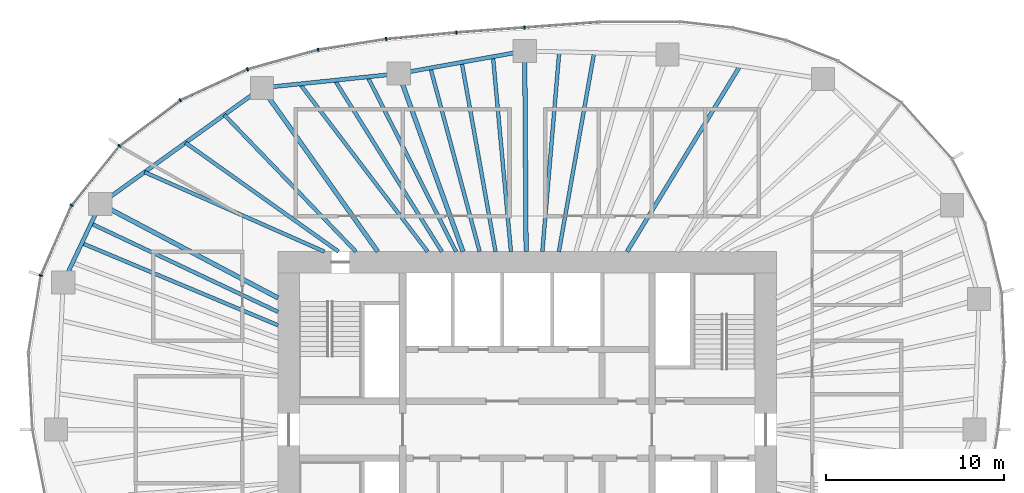
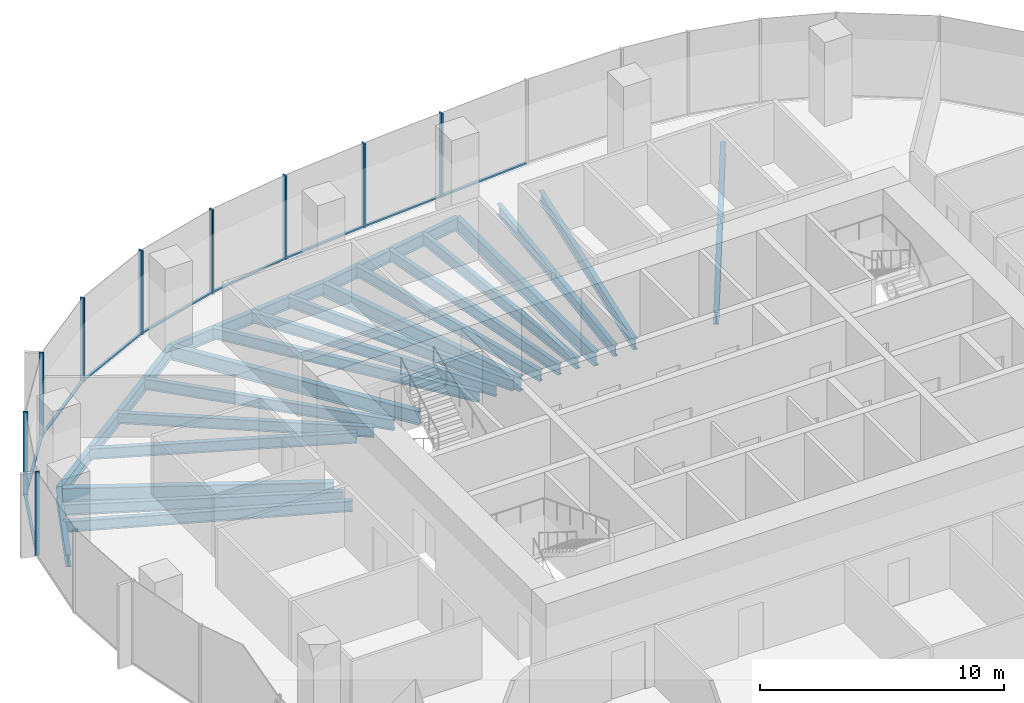
# One storey, part 5 of 11: 22 beams, 18 members, 6 elements without a shape of their own.
"""IFC4 building model written with IfcOpenShell, lengths in metres."""

from ifc_helpers import new_model, si_unit, direction, frame, origin, origin_2d, place, context, subcontext, project, spatial, rectangle, i_section, extrude, material, material_profile, profile_set, type_object, element, aggregate, save


model = new_model("IFC4")

# Units and contexts
model_context = context("Model", 3, precision=1e-05, world=origin(), true_north=direction((0.0, 1.0)))
body_context = subcontext(model_context, "Body", "Model", "MODEL_VIEW")
ifc_project = project(units=[si_unit("LENGTHUNIT", "METRE"), si_unit("AREAUNIT", "SQUARE_METRE"), si_unit("VOLUMEUNIT", "CUBIC_METRE"), si_unit("PLANEANGLEUNIT", "RADIAN"), si_unit("MASSUNIT", "GRAM", prefix="KILO")], contexts=[model_context])

# Site, building, storey
site_placement = place(None, origin())
site = spatial("IfcSite", under=ifc_project, at=site_placement, CompositionType="ELEMENT")
building_placement = place(site_placement, origin())
building = spatial("IfcBuilding", under=site, at=building_placement, Name="Ghaith Harvest Tower", CompositionType="ELEMENT")
storey_placement = place(building_placement, frame((0.0, 0.0, 220.0)))
storey = spatial("IfcBuildingStorey", under=building, at=storey_placement, Name="L48", CompositionType="ELEMENT", Elevation=220.0)

# Curtain wall, members
ifc_material_1 = material(Name="Black anodised aluminium and fritted glass", Category="aluminium")
curtain_wall_type = type_object("IfcCurtainWallType", Name="CW-H CURTAIN WALL", PredefinedType="NOTDEFINED", material=ifc_material_1)
curtain_wall_1_placement = place(storey_placement, origin())
curtain_wall_1 = element("IfcCurtainWall", 1, at=curtain_wall_1_placement, inside=storey, type_object=curtain_wall_type, Name="Curtain wall CW-H bay 06 L48", PredefinedType="NOTDEFINED")
ifc_material_2 = material(Name="Aluminium, black anodised", Category="aluminium")
ifc_material_profile_1 = material_profile(ifc_material_2, rectangle(XDim=0.080078125, YDim=0.199951171875, at=origin_2d()), Name="CW-H MULLION 80x200")
ifc_profile_set_1 = profile_set([ifc_material_profile_1], Name="Aluminium, black anodised")
member_type_1 = type_object("IfcMemberType", Name="CW-H MULLION 80x200", PredefinedType="MULLION", material=ifc_profile_set_1)
member_1_placement = place(storey_placement, frame((-0.154541015625, 22.590576171875, 0.0), z_axis=(0.0, 0.0, 1.0), x_axis=(-0.997329249665, -0.073036756239, 0.0)))
member_1 = element("IfcMember", 2, at=member_1_placement, type_object=member_type_1, Name="CW-H mullion 1 bay 06 L48", PredefinedType="MULLION", context=body_context, shape_type="SweptSolid", body=[
    extrude(rectangle(XDim=0.080078125, YDim=0.199951171875, at=origin_2d()), origin(), (0.0, 0.0, 1.0), 4.199951171875),
])
member_2_placement = place(storey_placement, frame((-3.984375, 22.310302734375, 0.0), z_axis=(0.0, 0.0, 1.0), x_axis=(-0.996522526822, -0.083323787336, 0.0)))
member_2 = element("IfcMember", 3, at=member_2_placement, type_object=member_type_1, Name="CW-H mullion 2 bay 06 L48", PredefinedType="MULLION", context=body_context, shape_type="SweptSolid", body=[
    extrude(rectangle(XDim=0.080078125, YDim=0.199951171875, at=origin_2d()), origin(), (0.0, 0.0, 1.0), 4.199951171875),
])

curtain_wall_2_placement = place(storey_placement, origin())
curtain_wall_2 = element("IfcCurtainWall", 4, at=curtain_wall_2_placement, inside=storey, type_object=curtain_wall_type, Name="Curtain wall CW-H bay 07 L48", PredefinedType="NOTDEFINED")
member_3_placement = place(storey_placement, frame((-7.924560546875, 21.94091796875, 0.0), z_axis=(0.0, 0.0, 1.0), x_axis=(-0.992235485325, -0.124373396119, 0.0)))
member_3 = element("IfcMember", 5, at=member_3_placement, type_object=member_type_1, Name="CW-H mullion 1 bay 07 L48", PredefinedType="MULLION", context=body_context, shape_type="SweptSolid", body=[
    extrude(rectangle(XDim=0.080078125, YDim=0.199951171875, at=origin_2d()), origin(), (0.0, 0.0, 1.0), 4.199951171875),
])
member_4_placement = place(storey_placement, frame((-11.75244140625, 21.336669921875, 0.0), z_axis=(0.0, 0.0, 1.0), x_axis=(-0.977086484172, -0.212842670646, 0.0)))
member_4 = element("IfcMember", 6, at=member_4_placement, type_object=member_type_1, Name="CW-H mullion 2 bay 07 L48", PredefinedType="MULLION", context=body_context, shape_type="SweptSolid", body=[
    extrude(rectangle(XDim=0.080078125, YDim=0.199951171875, at=origin_2d()), origin(), (0.0, 0.0, 1.0), 4.199951171875),
])

curtain_wall_3_placement = place(storey_placement, origin())
curtain_wall_3 = element("IfcCurtainWall", 7, at=curtain_wall_3_placement, inside=storey, type_object=curtain_wall_type, Name="Curtain wall CW-H bay 08 L48", PredefinedType="NOTDEFINED")
member_5_placement = place(storey_placement, frame((-15.720947265625, 20.242431640625, 0.0), z_axis=(0.0, 0.0, 1.0), x_axis=(-0.938930986476, -0.344105510906, 0.0)))
member_5 = element("IfcMember", 8, at=member_5_placement, type_object=member_type_1, Name="CW-H mullion 1 bay 08 L48", PredefinedType="MULLION", context=body_context, shape_type="SweptSolid", body=[
    extrude(rectangle(XDim=0.080078125, YDim=0.199951171875, at=origin_2d()), origin(), (0.0, 0.0, 1.0), 4.199951171875),
])
member_6_placement = place(storey_placement, frame((-19.4951171875, 18.4990234375, 0.0), z_axis=(0.0, 0.0, 1.0), x_axis=(-0.857998754004, -0.513651767376, 0.0)))
member_6 = element("IfcMember", 9, at=member_6_placement, type_object=member_type_1, Name="CW-H mullion 2 bay 08 L48", PredefinedType="MULLION", context=body_context, shape_type="SweptSolid", body=[
    extrude(rectangle(XDim=0.080078125, YDim=0.199951171875, at=origin_2d()), origin(), (0.0, 0.0, 1.0), 4.199951171875),
])

curtain_wall_4_placement = place(storey_placement, origin())
curtain_wall_4 = element("IfcCurtainWall", 10, at=curtain_wall_4_placement, inside=storey, type_object=curtain_wall_type, Name="Curtain wall CW-H bay 09 L48", PredefinedType="NOTDEFINED")
member_7_placement = place(storey_placement, frame((-22.908203125, 15.939697265625, 0.0), z_axis=(0.0, 0.0, 1.0), x_axis=(-0.719146135082, -0.694858860774, 0.0)))
member_7 = element("IfcMember", 11, at=member_7_placement, type_object=member_type_1, Name="CW-H mullion 1 bay 09 L48", PredefinedType="MULLION", context=body_context, shape_type="SweptSolid", body=[
    extrude(rectangle(XDim=0.080078125, YDim=0.199951171875, at=origin_2d()), origin(), (0.0, 0.0, 1.0), 4.199951171875),
])
member_8_placement = place(storey_placement, frame((-25.599609375, 12.6005859375, 0.0), z_axis=(0.0, 0.0, 1.0), x_axis=(-0.518769201232, -0.854914332464, 0.0)))
member_8 = element("IfcMember", 12, at=member_8_placement, type_object=member_type_1, Name="CW-H mullion 2 bay 09 L48", PredefinedType="MULLION", context=body_context, shape_type="SweptSolid", body=[
    extrude(rectangle(XDim=0.080078125, YDim=0.199951171875, at=origin_2d()), origin(), (0.0, 0.0, 1.0), 4.199951171875),
])

# Curtain wall, member
curtain_wall_5_placement = place(storey_placement, origin())
curtain_wall_5 = element("IfcCurtainWall", 13, at=curtain_wall_5_placement, inside=storey, type_object=curtain_wall_type, Name="Curtain wall CW-H bay 10 L48", PredefinedType="NOTDEFINED")
member_9_placement = place(storey_placement, frame((-27.32568359375, 8.659912109375, 0.0), z_axis=(0.0, 0.0, 1.0), x_axis=(-0.280520268431, -0.959848102045, 0.0)))
member_9 = element("IfcMember", 14, at=member_9_placement, type_object=member_type_1, Name="CW-H mullion 1 bay 10 L48", PredefinedType="MULLION", context=body_context, shape_type="SweptSolid", body=[
    extrude(rectangle(XDim=0.080078125, YDim=0.199951171875, at=origin_2d()), origin(), (0.0, 0.0, 1.0), 4.199951171875),
])
aggregate(curtain_wall_5, [member_9])

curtain_wall_6_placement = place(storey_placement, origin())
curtain_wall_6 = element("IfcCurtainWall", 15, at=curtain_wall_6_placement, inside=storey, type_object=curtain_wall_type, Name="Curtain wall CW-H bay 05 L48", PredefinedType="NOTDEFINED")
ifc_material_3 = material(Name="Aluminium, black anodised", Category="aluminium")
ifc_material_profile_2 = material_profile(ifc_material_3, rectangle(XDim=0.1298828125, YDim=0.080078125, at=origin_2d()), Name="CW-H TRANSOM 130x80")
ifc_profile_set_2 = profile_set([ifc_material_profile_2], Name="Aluminium, black anodised")
member_type_2 = type_object("IfcMemberType", Name="CW-H TRANSOM 130x80", PredefinedType="USERDEFINED", material=ifc_profile_set_2)
member_10_placement = place(storey_placement, frame((4.01953125, 22.896484375, 0.0400390625), z_axis=(-0.997325457985, -0.07308851384, 0.0), x_axis=(0.07308851384, -0.997325457985, 0.0)))
member_10 = element("IfcMember", 16, at=member_10_placement, type_object=member_type_2, Name="CW-H transom 2 bay 05 L48", ObjectType="TRANSOM", PredefinedType="USERDEFINED", context=body_context, shape_type="SweptSolid", body=[
    extrude(rectangle(XDim=0.1298828125, YDim=0.080078125, at=origin_2d()), origin(), (0.0, 0.0, 1.0), 4.145263671875),
])
aggregate(curtain_wall_6, [member_10])

# Member
member_11_placement = place(storey_placement, frame((-0.194580078125, 22.587646484375, 0.0400390625), z_axis=(-0.997332916649, -0.072986665689, 0.0), x_axis=(0.072986665689, -0.997332916649, 0.0)))
member_11 = element("IfcMember", 17, at=member_11_placement, type_object=member_type_2, Name="CW-H transom 1 bay 06 L48", ObjectType="TRANSOM", PredefinedType="USERDEFINED", context=body_context, shape_type="SweptSolid", body=[
    extrude(rectangle(XDim=0.1298828125, YDim=0.080078125, at=origin_2d()), origin(), (0.0, 0.0, 1.0), 3.759765625),
])

member_12_placement = place(storey_placement, frame((-4.024169921875, 22.306640625, 0.0400390625), z_axis=(-0.995631116984, -0.093373866217, 0.0), x_axis=(0.093373866217, -0.995631116984, 0.0)))
member_12 = element("IfcMember", 18, at=member_12_placement, type_object=member_type_2, Name="CW-H transom 2 bay 06 L48", ObjectType="TRANSOM", PredefinedType="USERDEFINED", context=body_context, shape_type="SweptSolid", body=[
    extrude(rectangle(XDim=0.1298828125, YDim=0.080078125, at=origin_2d()), origin(), (0.0, 0.0, 1.0), 3.87744140625),
])

aggregate(curtain_wall_1, [member_1, member_11, member_2, member_12])

member_13_placement = place(storey_placement, frame((-7.964111328125, 21.9345703125, 0.0400390625), z_axis=(-0.98776765914, -0.155932843097, 0.0), x_axis=(0.155932843097, -0.98776765914, 0.0)))
member_13 = element("IfcMember", 19, at=member_13_placement, type_object=member_type_2, Name="CW-H transom 1 bay 07 L48", ObjectType="TRANSOM", PredefinedType="USERDEFINED", context=body_context, shape_type="SweptSolid", body=[
    extrude(rectangle(XDim=0.1298828125, YDim=0.080078125, at=origin_2d()), origin(), (0.0, 0.0, 1.0), 3.795166015625),
])

member_14_placement = place(storey_placement, frame((-11.791015625, 21.325927734375, 0.0400390625), z_axis=(-0.964038584245, -0.265762315024, 0.0), x_axis=(0.265762315024, -0.964038584245, 0.0)))
member_14 = element("IfcMember", 20, at=member_14_placement, type_object=member_type_2, Name="CW-H transom 2 bay 07 L48", ObjectType="TRANSOM", PredefinedType="USERDEFINED", context=body_context, shape_type="SweptSolid", body=[
    extrude(rectangle(XDim=0.1298828125, YDim=0.080078125, at=origin_2d()), origin(), (0.0, 0.0, 1.0), 4.03662109375),
])

aggregate(curtain_wall_2, [member_3, member_13, member_4, member_14])

member_15_placement = place(storey_placement, frame((-15.75732421875, 20.2255859375, 0.0400390625), z_axis=(-0.907831404762, -0.419335355686, 0.0), x_axis=(0.419335355686, -0.907831404762, 0.0)))
member_15 = element("IfcMember", 21, at=member_15_placement, type_object=member_type_2, Name="CW-H transom 1 bay 08 L48", ObjectType="TRANSOM", PredefinedType="USERDEFINED", context=body_context, shape_type="SweptSolid", body=[
    extrude(rectangle(XDim=0.1298828125, YDim=0.080078125, at=origin_2d()), origin(), (0.0, 0.0, 1.0), 4.0771484375),
])

member_16_placement = place(storey_placement, frame((-19.527099609375, 18.47509765625, 0.0400390625), z_axis=(-0.800041988873, -0.599944010755, 0.0), x_axis=(0.599944010755, -0.800041988873, 0.0)))
member_16 = element("IfcMember", 22, at=member_16_placement, type_object=member_type_2, Name="CW-H transom 2 bay 08 L48", ObjectType="TRANSOM", PredefinedType="USERDEFINED", context=body_context, shape_type="SweptSolid", body=[
    extrude(rectangle(XDim=0.1298828125, YDim=0.080078125, at=origin_2d()), origin(), (0.0, 0.0, 1.0), 4.186279296875),
])

aggregate(curtain_wall_3, [member_5, member_15, member_6, member_16])

member_17_placement = place(storey_placement, frame((-22.933349609375, 15.90869140625, 0.0400390625), z_axis=(-0.6275347306, -0.778588570357, 0.0), x_axis=(0.778588570357, -0.6275347306, 0.0)))
member_17 = element("IfcMember", 23, at=member_17_placement, type_object=member_type_2, Name="CW-H transom 1 bay 09 L48", ObjectType="TRANSOM", PredefinedType="USERDEFINED", context=body_context, shape_type="SweptSolid", body=[
    extrude(rectangle(XDim=0.1298828125, YDim=0.080078125, at=origin_2d()), origin(), (0.0, 0.0, 1.0), 4.208740234375),
])

member_18_placement = place(storey_placement, frame((-25.61572265625, 12.56396484375, 0.0400390625), z_axis=(-0.401185844746, -0.915996680112, 0.0), x_axis=(0.915996680112, -0.401185844746, 0.0)))
member_18 = element("IfcMember", 24, at=member_18_placement, type_object=member_type_2, Name="CW-H transom 2 bay 09 L48", ObjectType="TRANSOM", PredefinedType="USERDEFINED", context=body_context, shape_type="SweptSolid", body=[
    extrude(rectangle(XDim=0.1298828125, YDim=0.080078125, at=origin_2d()), origin(), (0.0, 0.0, 1.0), 4.22216796875),
])

aggregate(curtain_wall_4, [member_7, member_17, member_8, member_18])

# Beams
ifc_material_4 = material(Name="Steel ASTM A992 Grade 50", Category="steel")
ifc_material_profile_3 = material_profile(ifc_material_4, i_section(OverallWidth=0.22900390625, OverallDepth=0.612060546875, WebThickness=0.011962890625, FlangeThickness=0.01953125, at=origin_2d()), Name="W610X125")
ifc_profile_set_3 = profile_set([ifc_material_profile_3], Name="Steel ASTM A992 Grade 50")
beam_type_1 = type_object("IfcBeamType", Name="E610-125 W610X125", PredefinedType="SPANDREL", material=ifc_profile_set_3)
beam_1_placement = place(storey_placement, frame((-0.14599609375, 21.27099609375, -0.47607421875), z_axis=(-0.984177047684, -0.177187863051, 0.0), x_axis=(0.177187863051, -0.984177047684, 0.0)))
element("IfcBeam", 25, at=beam_1_placement, inside=storey, type_object=beam_type_1, Name="Edge beam E06 L48", PredefinedType="SPANDREL", context=body_context, shape_type="SweptSolid", body=[
    extrude(i_section(OverallWidth=0.22900390625, OverallDepth=0.612060546875, WebThickness=0.011962890625, FlangeThickness=0.01953125, at=origin_2d()), origin(), (0.0, 0.0, 1.0), 7.189697265625),
])
beam_2_placement = place(storey_placement, frame((-7.221923828125, 19.9970703125, -0.47607421875), z_axis=(-0.994669141618, -0.103117887451, 0.0), x_axis=(0.103117887451, -0.994669141618, 0.0)))
element("IfcBeam", 26, at=beam_2_placement, inside=storey, type_object=beam_type_1, Name="Edge beam E07 L48", PredefinedType="SPANDREL", context=body_context, shape_type="SweptSolid", body=[
    extrude(i_section(OverallWidth=0.22900390625, OverallDepth=0.612060546875, WebThickness=0.011962890625, FlangeThickness=0.01953125, at=origin_2d()), origin(), (0.0, 0.0, 1.0), 7.730224609375),
])
beam_3_placement = place(storey_placement, frame((-14.910888671875, 19.199951171875, -0.47607421875), z_axis=(-0.812050311838, -0.583587432219, 0.0), x_axis=(0.583587432219, -0.812050311838, 0.0)))
element("IfcBeam", 27, at=beam_3_placement, inside=storey, type_object=beam_type_1, Name="Edge beam E08 L48", PredefinedType="SPANDREL", context=body_context, shape_type="SweptSolid", body=[
    extrude(i_section(OverallWidth=0.22900390625, OverallDepth=0.612060546875, WebThickness=0.011962890625, FlangeThickness=0.01953125, at=origin_2d()), origin(), (0.0, 0.0, 1.0), 11.175537109375),
])
beam_4_placement = place(storey_placement, frame((-23.986083984375, 12.677978515625, -0.47607421875), z_axis=(-0.426170247297, -0.904642979478, 0.0), x_axis=(0.904642979478, -0.426170247297, 0.0)))
element("IfcBeam", 28, at=beam_4_placement, inside=storey, type_object=beam_type_1, Name="Edge beam E09 L48", PredefinedType="SPANDREL", context=body_context, shape_type="SweptSolid", body=[
    extrude(i_section(OverallWidth=0.22900390625, OverallDepth=0.612060546875, WebThickness=0.011962890625, FlangeThickness=0.01953125, at=origin_2d()), origin(), (0.0, 0.0, 1.0), 4.882568359375),
])
ifc_material_5 = material(Name="Steel ASTM A992 Grade 50", Category="steel")
ifc_material_profile_4 = material_profile(ifc_material_5, i_section(OverallWidth=0.256103515625, OverallDepth=0.693115234375, WebThickness=0.014404296875, FlangeThickness=0.023681640625, at=origin_2d()), Name="W690X170")
ifc_profile_set_4 = profile_set([ifc_material_profile_4], Name="Steel ASTM A992 Grade 50")
beam_type_2 = type_object("IfcBeamType", Name="G690-170 W690X170", PredefinedType="BEAM", material=ifc_profile_set_4)
beam_5_placement = place(storey_placement, frame((-0.068359375, 10.0, -0.5166015625), z_axis=(-0.006888022705, 0.99997627729, 0.0), x_axis=(-0.99997627729, -0.006888022705, 0.0)))
element("IfcBeam", 29, at=beam_5_placement, inside=storey, type_object=beam_type_2, Name="Radial girder G06 L48", PredefinedType="BEAM", context=body_context, shape_type="SweptSolid", body=[
    extrude(i_section(OverallWidth=0.256103515625, OverallDepth=0.693115234375, WebThickness=0.014404296875, FlangeThickness=0.023681640625, at=origin_2d()), origin(), (0.0, 0.0, 1.0), 11.271240234375),
])
beam_6_placement = place(storey_placement, frame((-3.61181640625, 10.0, -0.5166015625), z_axis=(-0.339648979266, 0.940552269086, 0.0), x_axis=(-0.940552269086, -0.339648979266, 0.0)))
element("IfcBeam", 30, at=beam_6_placement, inside=storey, type_object=beam_type_2, Name="Radial girder G07 L48", PredefinedType="BEAM", context=body_context, shape_type="SweptSolid", body=[
    extrude(i_section(OverallWidth=0.256103515625, OverallDepth=0.693115234375, WebThickness=0.014404296875, FlangeThickness=0.023681640625, at=origin_2d()), origin(), (0.0, 0.0, 1.0), 10.62890625),
])
beam_7_placement = place(storey_placement, frame((-8.39990234375, 10.0, -0.5166015625), z_axis=(-0.577683734365, 0.816260683268, 0.0), x_axis=(-0.816260683268, -0.577683734365, 0.0)))
element("IfcBeam", 31, at=beam_7_placement, inside=storey, type_object=beam_type_2, Name="Radial girder G08 L48", PredefinedType="BEAM", context=body_context, shape_type="SweptSolid", body=[
    extrude(i_section(OverallWidth=0.256103515625, OverallDepth=0.693115234375, WebThickness=0.014404296875, FlangeThickness=0.023681640625, at=origin_2d()), origin(), (0.0, 0.0, 1.0), 11.270751953125),
])
beam_8_placement = place(storey_placement, frame((-14.0, 7.39990234375, -0.5166015625), z_axis=(-0.884105273337, 0.467287776062, 0.0), x_axis=(-0.467287776062, -0.884105273337, 0.0)))
element("IfcBeam", 32, at=beam_8_placement, inside=storey, type_object=beam_type_2, Name="Radial girder G09 L48", PredefinedType="BEAM", context=body_context, shape_type="SweptSolid", body=[
    extrude(i_section(OverallWidth=0.256103515625, OverallDepth=0.693115234375, WebThickness=0.014404296875, FlangeThickness=0.023681640625, at=origin_2d()), origin(), (0.0, 0.0, 1.0), 11.295166015625),
])
ifc_material_6 = material(Name="Steel ASTM A992 Grade 50", Category="steel")
ifc_material_profile_5 = material_profile(ifc_material_6, i_section(OverallWidth=0.2109375, OverallDepth=0.5390625, WebThickness=0.01171875, FlangeThickness=0.018798828125, at=origin_2d()), Name="W530X109")
ifc_profile_set_5 = profile_set([ifc_material_profile_5], Name="Steel ASTM A992 Grade 50")
beam_type_3 = type_object("IfcBeamType", Name="J530-109 W530X109", PredefinedType="JOIST", material=ifc_profile_set_5)
beam_9_placement = place(storey_placement, frame((1.772705078125, 10.0, -0.439453125), z_axis=(0.17455599258, 0.984647249249, 0.0), x_axis=(-0.984647249249, 0.17455599258, 0.0)))
element("IfcBeam", 33, at=beam_9_placement, inside=storey, type_object=beam_type_3, Name="Joist J05.2 L48", PredefinedType="JOIST", context=body_context, shape_type="SweptSolid", body=[
    extrude(i_section(OverallWidth=0.2109375, OverallDepth=0.5390625, WebThickness=0.01171875, FlangeThickness=0.018798828125, at=origin_2d()), origin(), (0.0, 0.0, 1.0), 11.3486328125),
])
beam_10_placement = place(storey_placement, frame((0.844970703125, 10.0, -0.439453125), z_axis=(0.084213263804, 0.996447753873, 0.0), x_axis=(-0.996447753873, 0.084213263804, 0.0)))
element("IfcBeam", 34, at=beam_10_placement, inside=storey, type_object=beam_type_3, Name="Joist J05.3 L48", PredefinedType="JOIST", context=body_context, shape_type="SweptSolid", body=[
    extrude(i_section(OverallWidth=0.2109375, OverallDepth=0.5390625, WebThickness=0.01171875, FlangeThickness=0.018798828125, at=origin_2d()), origin(), (0.0, 0.0, 1.0), 11.262939453125),
])
beam_11_placement = place(storey_placement, frame((-0.92041015625, 10.0, -0.439453125), z_axis=(-0.091648687045, 0.995791402937, 0.0), x_axis=(-0.995791402937, -0.091648687045, 0.0)))
element("IfcBeam", 35, at=beam_11_placement, inside=storey, type_object=beam_type_3, Name="Joist J06.1 L48", PredefinedType="JOIST", context=body_context, shape_type="SweptSolid", body=[
    extrude(i_section(OverallWidth=0.2109375, OverallDepth=0.5390625, WebThickness=0.01171875, FlangeThickness=0.018798828125, at=origin_2d()), origin(), (0.0, 0.0, 1.0), 10.99658203125),
])
beam_12_placement = place(storey_placement, frame((-1.785888671875, 10.0, -0.439453125), z_axis=(-0.175793767479, 0.984427016754, 0.0), x_axis=(-0.984427016754, -0.175793767479, 0.0)))
element("IfcBeam", 36, at=beam_12_placement, inside=storey, type_object=beam_type_3, Name="Joist J06.2 L48", PredefinedType="JOIST", context=body_context, shape_type="SweptSolid", body=[
    extrude(i_section(OverallWidth=0.2109375, OverallDepth=0.5390625, WebThickness=0.01171875, FlangeThickness=0.018798828125, at=origin_2d()), origin(), (0.0, 0.0, 1.0), 10.802001953125),
])
beam_13_placement = place(storey_placement, frame((-2.677978515625, 10.0, -0.439453125), z_axis=(-0.258674007994, 0.965964677195, 0.0), x_axis=(-0.965964677195, -0.258674007994, 0.0)))
element("IfcBeam", 37, at=beam_13_placement, inside=storey, type_object=beam_type_3, Name="Joist J06.3 L48", PredefinedType="JOIST", context=body_context, shape_type="SweptSolid", body=[
    extrude(i_section(OverallWidth=0.2109375, OverallDepth=0.5390625, WebThickness=0.01171875, FlangeThickness=0.018798828125, at=origin_2d()), origin(), (0.0, 0.0, 1.0), 10.68115234375),
])
beam_14_placement = place(storey_placement, frame((-4.0, 10.0, -0.439453125), z_axis=(-0.451646219201, 0.892197115374, 0.0), x_axis=(-0.892197115374, -0.451646219201, 0.0)))
element("IfcBeam", 38, at=beam_14_placement, inside=storey, type_object=beam_type_3, Name="Joist J07.1 L48", PredefinedType="JOIST", context=body_context, shape_type="SweptSolid", body=[
    extrude(i_section(OverallWidth=0.2109375, OverallDepth=0.5390625, WebThickness=0.01171875, FlangeThickness=0.018798828125, at=origin_2d()), origin(), (0.0, 0.0, 1.0), 11.001953125),
])
beam_15_placement = place(storey_placement, frame((-4.800048828125, 10.0, -0.439453125), z_axis=(-0.529627564093, 0.848230300893, 0.0), x_axis=(-0.848230300893, -0.529627564093, 0.0)))
element("IfcBeam", 39, at=beam_15_placement, inside=storey, type_object=beam_type_3, Name="Joist J07.2 L48", PredefinedType="JOIST", context=body_context, shape_type="SweptSolid", body=[
    extrude(i_section(OverallWidth=0.2109375, OverallDepth=0.5390625, WebThickness=0.01171875, FlangeThickness=0.018798828125, at=origin_2d()), origin(), (0.0, 0.0, 1.0), 11.34716796875),
])
beam_16_placement = place(storey_placement, frame((-5.60009765625, 10.0, -0.439453125), z_axis=(-0.605976135502, 0.795482823952, 0.0), x_axis=(-0.795482823952, -0.605976135502, 0.0)))
element("IfcBeam", 40, at=beam_16_placement, inside=storey, type_object=beam_type_3, Name="Joist J07.3 L48", PredefinedType="JOIST", context=body_context, shape_type="SweptSolid", body=[
    extrude(i_section(OverallWidth=0.2109375, OverallDepth=0.5390625, WebThickness=0.01171875, FlangeThickness=0.018798828125, at=origin_2d()), origin(), (0.0, 0.0, 1.0), 11.84326171875),
])
beam_17_placement = place(storey_placement, frame((-9.626708984375, 10.0, -0.439453125), z_axis=(-0.69354049188, 0.720417647009, 0.0), x_axis=(-0.720417647009, -0.69354049188, 0.0)))
element("IfcBeam", 41, at=beam_17_placement, inside=storey, type_object=beam_type_3, Name="Joist J08.1 L48", PredefinedType="JOIST", context=body_context, shape_type="SweptSolid", body=[
    extrude(i_section(OverallWidth=0.2109375, OverallDepth=0.5390625, WebThickness=0.01171875, FlangeThickness=0.018798828125, at=origin_2d()), origin(), (0.0, 0.0, 1.0), 10.6640625),
])
beam_18_placement = place(storey_placement, frame((-10.60009765625, 10.0, -0.439453125), z_axis=(-0.814837070547, 0.579690045164, 0.0), x_axis=(-0.579690045164, -0.814837070547, 0.0)))
element("IfcBeam", 42, at=beam_18_placement, inside=storey, type_object=beam_type_3, Name="Joist J08.2 L48", PredefinedType="JOIST", context=body_context, shape_type="SweptSolid", body=[
    extrude(i_section(OverallWidth=0.2109375, OverallDepth=0.5390625, WebThickness=0.01171875, FlangeThickness=0.018798828125, at=origin_2d()), origin(), (0.0, 0.0, 1.0), 10.5537109375),
])
beam_19_placement = place(storey_placement, frame((-11.39990234375, 10.0, -0.439453125), z_axis=(-0.914561290029, 0.40444733499, 0.0), x_axis=(-0.40444733499, -0.914561290029, 0.0)))
element("IfcBeam", 43, at=beam_19_placement, inside=storey, type_object=beam_type_3, Name="Joist J08.3 L48", PredefinedType="JOIST", context=body_context, shape_type="SweptSolid", body=[
    extrude(i_section(OverallWidth=0.2109375, OverallDepth=0.5390625, WebThickness=0.01171875, FlangeThickness=0.018798828125, at=origin_2d()), origin(), (0.0, 0.0, 1.0), 11.041748046875),
])
beam_20_placement = place(storey_placement, frame((-14.0, 6.614990234375, -0.439453125), z_axis=(-0.904154184779, 0.427206285238, 0.0), x_axis=(-0.427206285238, -0.904154184779, 0.0)))
element("IfcBeam", 44, at=beam_20_placement, inside=storey, type_object=beam_type_3, Name="Joist J09.1 L48", PredefinedType="JOIST", context=body_context, shape_type="SweptSolid", body=[
    extrude(i_section(OverallWidth=0.2109375, OverallDepth=0.5390625, WebThickness=0.01171875, FlangeThickness=0.018798828125, at=origin_2d()), origin(), (0.0, 0.0, 1.0), 11.61767578125),
])
beam_21_placement = place(storey_placement, frame((-14.0, 5.862548828125, -0.439453125), z_axis=(-0.922380898158, 0.386281605455, 0.0), x_axis=(-0.386281605455, -0.922380898158, 0.0)))
element("IfcBeam", 45, at=beam_21_placement, inside=storey, type_object=beam_type_3, Name="Joist J09.2 L48", PredefinedType="JOIST", context=body_context, shape_type="SweptSolid", body=[
    extrude(i_section(OverallWidth=0.2109375, OverallDepth=0.5390625, WebThickness=0.01171875, FlangeThickness=0.018798828125, at=origin_2d()), origin(), (0.0, 0.0, 1.0), 11.94970703125),
])
ifc_material_7 = material(Name="Steel ASTM A992 Grade 50", Category="steel")
ifc_material_profile_6 = material_profile(ifc_material_7, i_section(OverallWidth=0.22900390625, OverallDepth=0.612060546875, WebThickness=0.011962890625, FlangeThickness=0.01953125, at=origin_2d()), Name="W610X125")
ifc_profile_set_6 = profile_set([ifc_material_profile_6], Name="Steel ASTM A992 Grade 50")
beam_type_4 = type_object("IfcBeamType", Name="J610-125 W610X125", PredefinedType="JOIST", material=ifc_profile_set_6)
beam_22_placement = place(storey_placement, frame((5.60009765625, 10.0, -0.47607421875), z_axis=(0.519863845761, 0.854249133374, 0.0), x_axis=(-0.854249133374, 0.519863845761, 0.0)))
element("IfcBeam", 46, at=beam_22_placement, inside=storey, type_object=beam_type_4, Name="Joist J04.2 L48", PredefinedType="JOIST", context=body_context, shape_type="SweptSolid", body=[
    extrude(i_section(OverallWidth=0.22900390625, OverallDepth=0.612060546875, WebThickness=0.011962890625, FlangeThickness=0.01953125, at=origin_2d()), origin(), (0.0, 0.0, 1.0), 12.209716796875),
])

save(model, "model.ifc")
